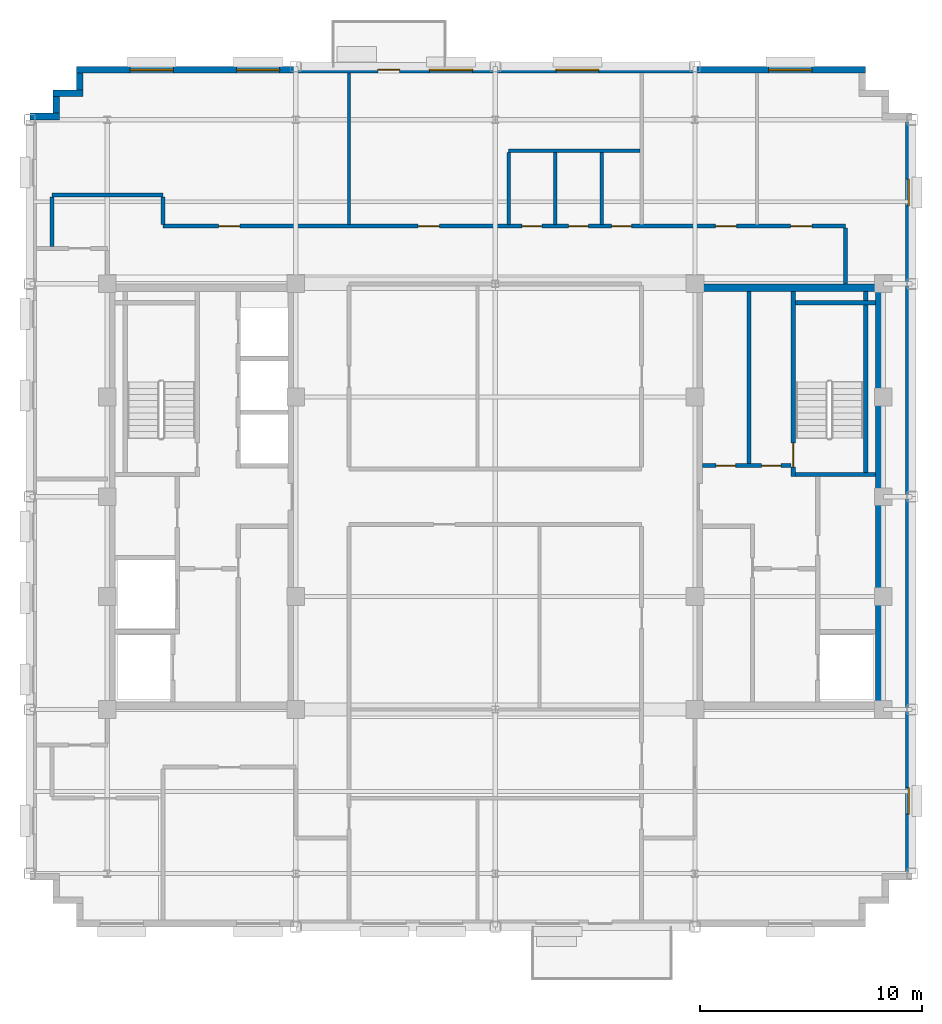
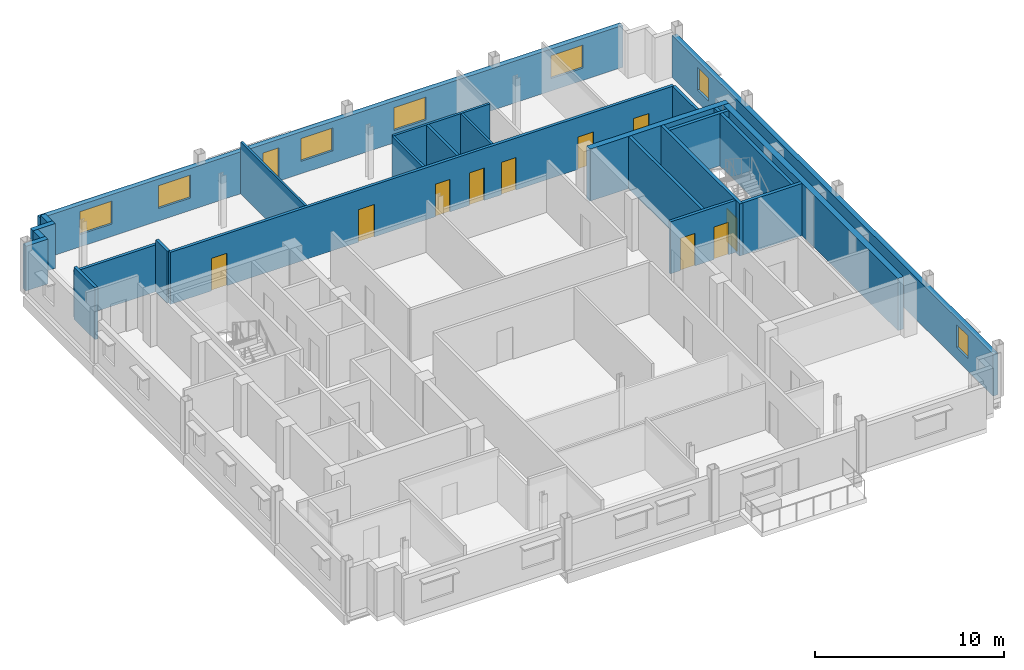
# One storey, part 8 of 13: 24 walls, 11 doors, 7 windows, 18 openings.
"""IFC4 building model written with IfcOpenShell, lengths in metres."""

from ifc_helpers import new_model, si_unit, direction, frame, frame_2d, origin, place, context, subcontext, project, spatial, rectangle, extrude, source, transform, mapped, material, layer, layer_set, type_object, type_shapes, element, fill, save


model = new_model("IFC4")

# Units and contexts
model_context = context("Model", 3, precision=1e-05, world=origin(), true_north=direction((0.0, 1.0)))
body_context = subcontext(model_context, "Body", "Model", "MODEL_VIEW")
ifc_project = project(units=[si_unit("LENGTHUNIT", "METRE"), si_unit("AREAUNIT", "SQUARE_METRE"), si_unit("VOLUMEUNIT", "CUBIC_METRE"), si_unit("PLANEANGLEUNIT", "RADIAN"), si_unit("MASSUNIT", "GRAM", prefix="KILO")], contexts=[model_context])

# Site, building, storey
site_placement = place(None, origin())
site = spatial("IfcSite", under=ifc_project, at=site_placement, CompositionType="ELEMENT")
building_placement = place(site_placement, origin())
building = spatial("IfcBuilding", under=site, at=building_placement, Name="Nuvemarco Arch Tower", CompositionType="ELEMENT")
storey_placement = place(building_placement, frame((0.0, 0.0, 276.199951171875)))
storey = spatial("IfcBuildingStorey", under=building, at=storey_placement, Name="L73", CompositionType="ELEMENT", Elevation=276.199951171875)

# Wall, openings, windows
ifc_material_1 = material(Name="Precast concrete C45/55", Category="concrete")
ifc_layer_1 = layer(ifc_material_1, 0.300048828125, Name="EW-HIGH-300")
ifc_layer_set_1 = layer_set([ifc_layer_1], Name="Precast concrete C45/55")
wall_type_1 = type_object("IfcWallType", Name="EW-HIGH-300", PredefinedType="STANDARD", material=ifc_layer_set_1)
wall_1_placement = place(storey_placement, frame((18.64990234375, -17.00390625, 0.0), z_axis=(0.0, 0.0, 1.0), x_axis=(0.0, 1.0, 0.0)))
wall_1 = element("IfcWall", 1, at=wall_1_placement, inside=storey, type_object=wall_type_1, Name="L73 exterior precast facade wall 6", PredefinedType="STANDARD", context=body_context, shape_type="SweptSolid", body=[
    extrude(rectangle(XDim=34.0078125, YDim=0.300048828125, at=frame_2d((17.00390625, 0.0))), origin(), (0.0, 0.0, 1.0), 2.705078125),
])
opening_1_placement = place(wall_1_placement, frame((2.686279296875, 0.0, 0.800048828125)))
opening_1 = element("IfcOpeningElement", 2, at=opening_1_placement, cuts=wall_1, Name="Opening WN-8", PredefinedType="OPENING", context=body_context, shape_type="SweptSolid", body=[
    extrude(rectangle(XDim=1.199951171875, YDim=1.47998046875, at=frame_2d((0.60009765625, 0.739990234375))), frame((0.0, 0.159912109375, 0.0), z_axis=(0.0, -1.0, 0.0), x_axis=(1.0, 0.0, 0.0)), (0.0, 0.0, 1.0), 0.320068359375),
])
opening_2_placement = place(wall_1_placement, frame((30.12158203125, 0.0, 0.800048828125)))
opening_2 = element("IfcOpeningElement", 3, at=opening_2_placement, cuts=wall_1, Name="Opening WN-8", PredefinedType="OPENING", context=body_context, shape_type="SweptSolid", body=[
    extrude(rectangle(XDim=1.199951171875, YDim=1.47998046875, at=frame_2d((0.60009765625, 0.739990234375))), frame((0.0, 0.159912109375, 0.0), z_axis=(0.0, -1.0, 0.0), x_axis=(1.0, 0.0, 0.0)), (0.0, 0.0, 1.0), 0.320068359375),
])
ifc_material_2 = material(Name="Insulated solar-control glass", Category="glass")
window_type_1 = type_object("IfcWindowType", Name="WN-HIGH-1200x1480", PartitioningType="SINGLE_PANEL", PredefinedType="WINDOW", material=ifc_material_2)
shared_shape_1 = source(origin(), body_context, "Body", "SweptSolid", [
    extrude(rectangle(XDim=1.199951171875, YDim=1.47998046875, at=frame_2d((0.60009765625, 0.739990234375))), frame((0.0, 0.030029296875, 0.0), z_axis=(0.0, -1.0, 0.0), x_axis=(1.0, 0.0, 0.0)), (0.0, 0.0, 1.0), 0.06005859375),
])
type_shapes(window_type_1, [shared_shape_1])
window_1_placement = place(opening_1_placement, origin())
window_1 = element("IfcWindow", 4, at=window_1_placement, inside=storey, type_object=window_type_1, Name="L73 punched facade window 1", OverallHeight=1.47998046875, OverallWidth=1.199951171875, PartitioningType="SINGLE_PANEL", PredefinedType="WINDOW", context=body_context, shape_type="MappedRepresentation", body=[
    mapped(shared_shape_1, transform((0.0, 0.0, 0.0), scale=1.0)),
])
fill(opening_1, window_1)
window_2_placement = place(opening_2_placement, origin())
window_2 = element("IfcWindow", 5, at=window_2_placement, inside=storey, type_object=window_type_1, Name="L73 punched facade window 7", OverallHeight=1.47998046875, OverallWidth=1.199951171875, PartitioningType="SINGLE_PANEL", PredefinedType="WINDOW", context=body_context, shape_type="MappedRepresentation", body=[
    mapped(shared_shape_1, transform((0.0, 0.0, 0.0), scale=1.0)),
])
fill(opening_2, window_2)

# Wall, openings, door, windows
wall_2_placement = place(storey_placement, frame((-18.89990234375, 19.25, 0.0), z_axis=(0.0, 0.0, 1.0), x_axis=(1.0, 0.0, 0.0)))
wall_2 = element("IfcWall", 6, at=wall_2_placement, inside=storey, type_object=wall_type_1, Name="L73 exterior precast facade wall 11", PredefinedType="STANDARD", context=body_context, shape_type="SweptSolid", body=[
    extrude(rectangle(XDim=35.599853515625, YDim=0.300048828125, at=frame_2d((17.7998046875, 0.0))), origin(), (0.0, 0.0, 1.0), 2.705078125),
])
opening_3_placement = place(wall_2_placement, frame((13.60009765625, 0.0, 0.0)))
opening_3 = element("IfcOpeningElement", 7, at=opening_3_placement, cuts=wall_2, Name="Opening ED-6", PredefinedType="OPENING", context=body_context, shape_type="SweptSolid", body=[
    extrude(rectangle(XDim=0.97998046875, YDim=2.14990234375, at=frame_2d((0.489990234375, 1.074951171875))), frame((0.0, 0.159912109375, 0.0), z_axis=(0.0, -1.0, 0.0), x_axis=(1.0, 0.0, 0.0)), (0.0, 0.0, 1.0), 0.320068359375),
])
opening_4_placement = place(wall_2_placement, frame((2.425048828125, 0.0, 0.800048828125)))
opening_4 = element("IfcOpeningElement", 8, at=opening_4_placement, cuts=wall_2, Name="Opening WN-7", PredefinedType="OPENING", context=body_context, shape_type="SweptSolid", body=[
    extrude(rectangle(XDim=1.949951171875, YDim=1.47998046875, at=frame_2d((0.97509765625, 0.739990234375))), frame((0.0, 0.159912109375, 0.0), z_axis=(0.0, -1.0, 0.0), x_axis=(1.0, 0.0, 0.0)), (0.0, 0.0, 1.0), 0.320068359375),
])
opening_5_placement = place(wall_2_placement, frame((7.22509765625, 0.0, 0.800048828125)))
opening_5 = element("IfcOpeningElement", 9, at=opening_5_placement, cuts=wall_2, Name="Opening WN-7", PredefinedType="OPENING", context=body_context, shape_type="SweptSolid", body=[
    extrude(rectangle(XDim=1.949951171875, YDim=1.47998046875, at=frame_2d((0.97509765625, 0.739990234375))), frame((0.0, 0.159912109375, 0.0), z_axis=(0.0, -1.0, 0.0), x_axis=(1.0, 0.0, 0.0)), (0.0, 0.0, 1.0), 0.320068359375),
])
opening_6_placement = place(wall_2_placement, frame((15.925048828125, 0.0, 0.800048828125)))
opening_6 = element("IfcOpeningElement", 10, at=opening_6_placement, cuts=wall_2, Name="Opening WN-7", PredefinedType="OPENING", context=body_context, shape_type="SweptSolid", body=[
    extrude(rectangle(XDim=1.949951171875, YDim=1.47998046875, at=frame_2d((0.97509765625, 0.739990234375))), frame((0.0, 0.159912109375, 0.0), z_axis=(0.0, -1.0, 0.0), x_axis=(1.0, 0.0, 0.0)), (0.0, 0.0, 1.0), 0.320068359375),
])
opening_7_placement = place(wall_2_placement, frame((21.625, 0.0, 0.800048828125)))
opening_7 = element("IfcOpeningElement", 11, at=opening_7_placement, cuts=wall_2, Name="Opening WN-7", PredefinedType="OPENING", context=body_context, shape_type="SweptSolid", body=[
    extrude(rectangle(XDim=1.949951171875, YDim=1.47998046875, at=frame_2d((0.97509765625, 0.739990234375))), frame((0.0, 0.159912109375, 0.0), z_axis=(0.0, -1.0, 0.0), x_axis=(1.0, 0.0, 0.0)), (0.0, 0.0, 1.0), 0.320068359375),
])
opening_8_placement = place(wall_2_placement, frame((31.22509765625, 0.0, 0.800048828125)))
opening_8 = element("IfcOpeningElement", 12, at=opening_8_placement, cuts=wall_2, Name="Opening WN-7", PredefinedType="OPENING", context=body_context, shape_type="SweptSolid", body=[
    extrude(rectangle(XDim=1.949951171875, YDim=1.47998046875, at=frame_2d((0.97509765625, 0.739990234375))), frame((0.0, 0.159912109375, 0.0), z_axis=(0.0, -1.0, 0.0), x_axis=(1.0, 0.0, 0.0)), (0.0, 0.0, 1.0), 0.320068359375),
])
ifc_material_3 = material(Name="Anodised bronze and laminated glass", Category="glass")
door_type_1 = type_object("IfcDoorType", Name="DR-EXT-BALC", OperationType="NOTDEFINED", PredefinedType="DOOR", material=ifc_material_3)
shared_shape_2 = source(origin(), body_context, "Body", "SweptSolid", [
    extrude(rectangle(XDim=0.97998046875, YDim=2.14990234375, at=frame_2d((0.489990234375, 1.074951171875))), frame((0.0, 0.02490234375, 0.0), z_axis=(0.0, -1.0, 0.0), x_axis=(1.0, 0.0, 0.0)), (0.0, 0.0, 1.0), 0.050048828125),
])
type_shapes(door_type_1, [shared_shape_2])
door_1_placement = place(opening_3_placement, origin())
door_1 = element("IfcDoor", 13, at=door_1_placement, inside=storey, type_object=door_type_1, Name="L73 tree balcony access door", OperationType="SINGLE_SWING_LEFT", OverallHeight=2.14990234375, OverallWidth=0.97998046875, PredefinedType="DOOR", context=body_context, shape_type="MappedRepresentation", body=[
    mapped(shared_shape_2, transform((0.0, 0.0, 0.0), scale=1.0)),
])
fill(opening_3, door_1)
window_type_2 = type_object("IfcWindowType", Name="WN-HIGH-1950x1480", PartitioningType="DOUBLE_PANEL_VERTICAL", PredefinedType="WINDOW", material=ifc_material_2)
shared_shape_3 = source(origin(), body_context, "Body", "SweptSolid", [
    extrude(rectangle(XDim=1.949951171875, YDim=1.47998046875, at=frame_2d((0.97509765625, 0.739990234375))), frame((0.0, 0.030029296875, 0.0), z_axis=(0.0, -1.0, 0.0), x_axis=(1.0, 0.0, 0.0)), (0.0, 0.0, 1.0), 0.06005859375),
])
type_shapes(window_type_2, [shared_shape_3])
window_3_placement = place(opening_4_placement, origin())
window_3 = element("IfcWindow", 14, at=window_3_placement, inside=storey, type_object=window_type_2, Name="L73 punched facade window 1", OverallHeight=1.47998046875, OverallWidth=1.949951171875, PartitioningType="SINGLE_PANEL", PredefinedType="WINDOW", context=body_context, shape_type="MappedRepresentation", body=[
    mapped(shared_shape_3, transform((0.0, 0.0, 0.0), scale=1.0)),
])
fill(opening_4, window_3)
window_4_placement = place(opening_5_placement, origin())
window_4 = element("IfcWindow", 15, at=window_4_placement, inside=storey, type_object=window_type_2, Name="L73 punched facade window 2", OverallHeight=1.47998046875, OverallWidth=1.949951171875, PartitioningType="SINGLE_PANEL", PredefinedType="WINDOW", context=body_context, shape_type="MappedRepresentation", body=[
    mapped(shared_shape_3, transform((0.0, 0.0, 0.0), scale=1.0)),
])
fill(opening_5, window_4)
window_5_placement = place(opening_6_placement, origin())
window_5 = element("IfcWindow", 16, at=window_5_placement, inside=storey, type_object=window_type_2, Name="L73 punched facade window 4", OverallHeight=1.47998046875, OverallWidth=1.949951171875, PartitioningType="SINGLE_PANEL", PredefinedType="WINDOW", context=body_context, shape_type="MappedRepresentation", body=[
    mapped(shared_shape_3, transform((0.0, 0.0, 0.0), scale=1.0)),
])
fill(opening_6, window_5)
window_6_placement = place(opening_7_placement, origin())
window_6 = element("IfcWindow", 17, at=window_6_placement, inside=storey, type_object=window_type_2, Name="L73 punched facade window 5", OverallHeight=1.47998046875, OverallWidth=1.949951171875, PartitioningType="SINGLE_PANEL", PredefinedType="WINDOW", context=body_context, shape_type="MappedRepresentation", body=[
    mapped(shared_shape_3, transform((0.0, 0.0, 0.0), scale=1.0)),
])
fill(opening_7, window_6)
window_7_placement = place(opening_8_placement, origin())
window_7 = element("IfcWindow", 18, at=window_7_placement, inside=storey, type_object=window_type_2, Name="L73 punched facade window 7", OverallHeight=1.47998046875, OverallWidth=1.949951171875, PartitioningType="SINGLE_PANEL", PredefinedType="WINDOW", context=body_context, shape_type="MappedRepresentation", body=[
    mapped(shared_shape_3, transform((0.0, 0.0, 0.0), scale=1.0)),
])
fill(opening_8, window_7)

# Walls
wall_3_placement = place(storey_placement, frame((-18.75, 18.345947265625, 0.0), z_axis=(0.0, 0.0, 1.0), x_axis=(0.0, 1.0, 0.0)))
element("IfcWall", 19, at=wall_3_placement, inside=storey, type_object=wall_type_1, Name="L73 exterior precast facade wall 12", PredefinedType="STANDARD", context=body_context, shape_type="SweptSolid", body=[
    extrude(rectangle(XDim=0.758056640625, YDim=0.300048828125, at=frame_2d((0.37890625, 0.0))), origin(), (0.0, 0.0, 1.0), 2.89208984375),
])
wall_4_placement = place(storey_placement, frame((-19.949951171875, 18.199951171875, 0.0), z_axis=(0.0, 0.0, 1.0), x_axis=(1.0, 0.0, 0.0)))
element("IfcWall", 20, at=wall_4_placement, inside=storey, type_object=wall_type_1, Name="L73 exterior precast facade wall 13", PredefinedType="STANDARD", context=body_context, shape_type="SweptSolid", body=[
    extrude(rectangle(XDim=1.349853515625, YDim=0.300048828125, at=frame_2d((0.6748046875, 0.0))), origin(), (0.0, 0.0, 1.0), 2.89208984375),
])
wall_5_placement = place(storey_placement, frame((-19.800048828125, 17.2958984375, 0.0), z_axis=(0.0, 0.0, 1.0), x_axis=(0.0, 1.0, 0.0)))
element("IfcWall", 21, at=wall_5_placement, inside=storey, type_object=wall_type_1, Name="L73 exterior precast facade wall 14", PredefinedType="STANDARD", context=body_context, shape_type="SweptSolid", body=[
    extrude(rectangle(XDim=0.758056640625, YDim=0.300048828125, at=frame_2d((0.37890625, 0.0))), origin(), (0.0, 0.0, 1.0), 2.89208984375),
])
wall_6_placement = place(storey_placement, frame((-21.0, 17.14990234375, 0.0), z_axis=(0.0, 0.0, 1.0), x_axis=(1.0, 0.0, 0.0)))
element("IfcWall", 22, at=wall_6_placement, inside=storey, type_object=wall_type_1, Name="L73 exterior precast facade wall 15", PredefinedType="STANDARD", context=body_context, shape_type="SweptSolid", body=[
    extrude(rectangle(XDim=1.35009765625, YDim=0.300048828125, at=frame_2d((0.675048828125, 0.0))), origin(), (0.0, 0.0, 1.0), 2.89208984375),
])
ifc_material_4 = material(Name="Concrete C50/60", Category="concrete")
ifc_layer_2 = layer(ifc_material_4, 0.35009765625, Name="WL-CORE-350")
ifc_layer_set_2 = layer_set([ifc_layer_2], Name="Concrete C50/60")
wall_type_2 = type_object("IfcWallType", Name="WL-CORE-350", PredefinedType="SHEAR", material=ifc_layer_set_2)
wall_7_placement = place(storey_placement, frame((9.0, 9.425048828125, 0.0), z_axis=(0.0, 0.0, 1.0), x_axis=(1.0, 0.0, 0.0)))
element("IfcWall", 23, at=wall_7_placement, inside=storey, type_object=wall_type_2, Name="L73 E-core shear wall N", PredefinedType="SHEAR", context=body_context, shape_type="SweptSolid", body=[
    extrude(rectangle(XDim=8.5, YDim=0.35009765625, at=frame_2d((4.25, 0.0))), origin(), (0.0, 0.0, 1.0), 3.3701171875),
])
wall_8_placement = place(storey_placement, frame((17.324951171875, -9.2548828125, 0.0), z_axis=(0.0, 0.0, 1.0), x_axis=(0.0, 1.0, 0.0)))
element("IfcWall", 24, at=wall_8_placement, inside=storey, type_object=wall_type_2, Name="L73 E-core shear wall E", PredefinedType="SHEAR", context=body_context, shape_type="SweptSolid", body=[
    extrude(rectangle(XDim=18.509765625, YDim=0.35009765625, at=frame_2d((9.2548828125, 0.0))), origin(), (0.0, 0.0, 1.0), 3.3701171875),
])

# Wall, openings, doors
ifc_material_5 = material(Name="Fire-rated gypsum drywall partition")
ifc_layer_3 = layer(ifc_material_5, 0.179931640625, Name="WL-CORR-180")
ifc_layer_set_3 = layer_set([ifc_layer_3], Name="Fire-rated gypsum drywall partition")
wall_type_3 = type_object("IfcWallType", Name="WL-CORR-180", PredefinedType="PARTITIONING", material=ifc_layer_set_3)
wall_9_placement = place(storey_placement, frame((9.344970703125, 1.39990234375, 0.0), z_axis=(0.0, 0.0, 1.0), x_axis=(1.0, 0.0, 0.0)))
wall_9 = element("IfcWall", 25, at=wall_9_placement, inside=storey, type_object=wall_type_3, Name="L73 interior wall IW-L73-EK-S", PredefinedType="PARTITIONING", context=body_context, shape_type="SweptSolid", body=[
    extrude(rectangle(XDim=4.0, YDim=0.179931640625, at=frame_2d((2.0, 0.0))), origin(), (0.0, 0.0, 1.0), 3.360107421875),
])
opening_9_placement = place(wall_9_placement, frame((0.614990234375, 0.0, 0.0)))
opening_9 = element("IfcOpeningElement", 26, at=opening_9_placement, cuts=wall_9, Name="Opening FD-4", PredefinedType="OPENING", context=body_context, shape_type="SweptSolid", body=[
    extrude(rectangle(XDim=0.8798828125, YDim=2.10009765625, at=frame_2d((0.43994140625, 1.050048828125))), frame((0.0, 0.099853515625, 0.0), z_axis=(0.0, -1.0, 0.0), x_axis=(1.0, 0.0, 0.0)), (0.0, 0.0, 1.0), 0.199951171875),
])
opening_10_placement = place(wall_9_placement, frame((2.6650390625, 0.0, 0.0)))
opening_10 = element("IfcOpeningElement", 27, at=opening_10_placement, cuts=wall_9, Name="Opening FD-4", PredefinedType="OPENING", context=body_context, shape_type="SweptSolid", body=[
    extrude(rectangle(XDim=0.8798828125, YDim=2.10009765625, at=frame_2d((0.43994140625, 1.050048828125))), frame((0.0, 0.099853515625, 0.0), z_axis=(0.0, -1.0, 0.0), x_axis=(1.0, 0.0, 0.0)), (0.0, 0.0, 1.0), 0.199951171875),
])
ifc_material_6 = material(Name="Anodised steel fire door", Category="steel")
door_type_2 = type_object("IfcDoorType", Name="DR-RISER-FD", OperationType="NOTDEFINED", PredefinedType="DOOR", material=ifc_material_6)
shared_shape_4 = source(origin(), body_context, "Body", "SweptSolid", [
    extrude(rectangle(XDim=0.8798828125, YDim=2.10009765625, at=frame_2d((0.43994140625, 1.050048828125))), frame((0.0, 0.02490234375, 0.0), z_axis=(0.0, -1.0, 0.0), x_axis=(1.0, 0.0, 0.0)), (0.0, 0.0, 1.0), 0.050048828125),
])
type_shapes(door_type_2, [shared_shape_4])
door_2_placement = place(opening_9_placement, origin())
door_2 = element("IfcDoor", 28, at=door_2_placement, inside=storey, type_object=door_type_2, Name="L73 door FD-L73-EK2A", OperationType="SINGLE_SWING_RIGHT", OverallHeight=2.10009765625, OverallWidth=0.8798828125, PredefinedType="DOOR", context=body_context, shape_type="MappedRepresentation", body=[
    mapped(shared_shape_4, transform((0.0, 0.0, 0.0), scale=1.0)),
])
fill(opening_9, door_2)
door_3_placement = place(opening_10_placement, origin())
door_3 = element("IfcDoor", 29, at=door_3_placement, inside=storey, type_object=door_type_2, Name="L73 door FD-L73-EK2B", OperationType="SINGLE_SWING_LEFT", OverallHeight=2.10009765625, OverallWidth=0.8798828125, PredefinedType="DOOR", context=body_context, shape_type="MappedRepresentation", body=[
    mapped(shared_shape_4, transform((0.0, 0.0, 0.0), scale=1.0)),
])
fill(opening_10, door_3)

# Wall
wall_10_placement = place(storey_placement, frame((11.449951171875, 1.489990234375, 0.0), z_axis=(0.0, 0.0, 1.0), x_axis=(0.0, 1.0, 0.0)))
element("IfcWall", 30, at=wall_10_placement, inside=storey, type_object=wall_type_3, Name="L73 interior wall IW-L73-EK2", PredefinedType="PARTITIONING", context=body_context, shape_type="SweptSolid", body=[
    extrude(rectangle(XDim=7.764892578125, YDim=0.179931640625, at=frame_2d((3.88232421875, 0.0))), origin(), (0.0, 0.0, 1.0), 3.360107421875),
])

# Wall, openings, doors
wall_11_placement = place(storey_placement, frame((-15.0, 12.199951171875, 0.0), z_axis=(0.0, 0.0, 1.0), x_axis=(1.0, 0.0, 0.0)))
wall_11 = element("IfcWall", 31, at=wall_11_placement, inside=storey, type_object=wall_type_3, Name="L73 interior wall IW-L73-015", PredefinedType="PARTITIONING", context=body_context, shape_type="SweptSolid", body=[
    extrude(rectangle(XDim=30.800048828125, YDim=0.179931640625, at=frame_2d((15.39990234375, 0.0))), origin(), (0.0, 0.0, 1.0), 3.360107421875),
])
opening_11_placement = place(wall_11_placement, frame((11.52001953125, 0.0, 0.0)))
opening_11 = element("IfcOpeningElement", 32, at=opening_11_placement, cuts=wall_11, Name="Opening FD-5", PredefinedType="OPENING", context=body_context, shape_type="SweptSolid", body=[
    extrude(rectangle(XDim=0.9599609375, YDim=2.10009765625, at=frame_2d((0.47998046875, 1.050048828125))), frame((0.0, 0.099853515625, 0.0), z_axis=(0.0, -1.0, 0.0), x_axis=(1.0, 0.0, 0.0)), (0.0, 0.0, 1.0), 0.199951171875),
])
opening_12_placement = place(wall_11_placement, frame((2.52001953125, 0.0, 0.0)))
opening_12 = element("IfcOpeningElement", 33, at=opening_12_placement, cuts=wall_11, Name="Opening FD-5", PredefinedType="OPENING", context=body_context, shape_type="SweptSolid", body=[
    extrude(rectangle(XDim=0.9599609375, YDim=2.10009765625, at=frame_2d((0.47998046875, 1.050048828125))), frame((0.0, 0.099853515625, 0.0), z_axis=(0.0, -1.0, 0.0), x_axis=(1.0, 0.0, 0.0)), (0.0, 0.0, 1.0), 0.199951171875),
])
opening_13_placement = place(wall_11_placement, frame((28.320068359375, 0.0, 0.0)))
opening_13 = element("IfcOpeningElement", 34, at=opening_13_placement, cuts=wall_11, Name="Opening FD-5", PredefinedType="OPENING", context=body_context, shape_type="SweptSolid", body=[
    extrude(rectangle(XDim=0.9599609375, YDim=2.10009765625, at=frame_2d((0.47998046875, 1.050048828125))), frame((0.0, 0.099853515625, 0.0), z_axis=(0.0, -1.0, 0.0), x_axis=(1.0, 0.0, 0.0)), (0.0, 0.0, 1.0), 0.199951171875),
])
opening_14_placement = place(wall_11_placement, frame((24.919921875, 0.0, 0.0)))
opening_14 = element("IfcOpeningElement", 35, at=opening_14_placement, cuts=wall_11, Name="Opening FD-5", PredefinedType="OPENING", context=body_context, shape_type="SweptSolid", body=[
    extrude(rectangle(XDim=0.9599609375, YDim=2.10009765625, at=frame_2d((0.47998046875, 1.050048828125))), frame((0.0, 0.099853515625, 0.0), z_axis=(0.0, -1.0, 0.0), x_axis=(1.0, 0.0, 0.0)), (0.0, 0.0, 1.0), 0.199951171875),
])
opening_15_placement = place(wall_11_placement, frame((16.199951171875, 0.0, 0.0)))
opening_15 = element("IfcOpeningElement", 36, at=opening_15_placement, cuts=wall_11, Name="Opening ID-3", PredefinedType="OPENING", context=body_context, shape_type="SweptSolid", body=[
    extrude(rectangle(XDim=0.89990234375, YDim=2.10009765625, at=frame_2d((0.449951171875, 1.050048828125))), frame((0.0, 0.099853515625, 0.0), z_axis=(0.0, -1.0, 0.0), x_axis=(1.0, 0.0, 0.0)), (0.0, 0.0, 1.0), 0.199951171875),
])
opening_16_placement = place(wall_11_placement, frame((18.300048828125, 0.0, 0.0)))
opening_16 = element("IfcOpeningElement", 37, at=opening_16_placement, cuts=wall_11, Name="Opening ID-3", PredefinedType="OPENING", context=body_context, shape_type="SweptSolid", body=[
    extrude(rectangle(XDim=0.89990234375, YDim=2.10009765625, at=frame_2d((0.449951171875, 1.050048828125))), frame((0.0, 0.099853515625, 0.0), z_axis=(0.0, -1.0, 0.0), x_axis=(1.0, 0.0, 0.0)), (0.0, 0.0, 1.0), 0.199951171875),
])
opening_17_placement = place(wall_11_placement, frame((20.25, 0.0, 0.0)))
opening_17 = element("IfcOpeningElement", 38, at=opening_17_placement, cuts=wall_11, Name="Opening ID-3", PredefinedType="OPENING", context=body_context, shape_type="SweptSolid", body=[
    extrude(rectangle(XDim=0.89990234375, YDim=2.10009765625, at=frame_2d((0.449951171875, 1.050048828125))), frame((0.0, 0.099853515625, 0.0), z_axis=(0.0, -1.0, 0.0), x_axis=(1.0, 0.0, 0.0)), (0.0, 0.0, 1.0), 0.199951171875),
])
ifc_material_7 = material(Name="Timber fire door", Category="wood")
door_type_3 = type_object("IfcDoorType", Name="DR-CORR-FD", OperationType="NOTDEFINED", PredefinedType="DOOR", material=ifc_material_7)
shared_shape_5 = source(origin(), body_context, "Body", "SweptSolid", [
    extrude(rectangle(XDim=0.9599609375, YDim=2.10009765625, at=frame_2d((0.47998046875, 1.050048828125))), frame((0.0, 0.02490234375, 0.0), z_axis=(0.0, -1.0, 0.0), x_axis=(1.0, 0.0, 0.0)), (0.0, 0.0, 1.0), 0.050048828125),
])
type_shapes(door_type_3, [shared_shape_5])
door_4_placement = place(opening_11_placement, origin())
door_4 = element("IfcDoor", 39, at=door_4_placement, inside=storey, type_object=door_type_3, Name="L73 door DR-L73-N_2", OperationType="SINGLE_SWING_RIGHT", OverallHeight=2.10009765625, OverallWidth=0.9599609375, PredefinedType="DOOR", context=body_context, shape_type="MappedRepresentation", body=[
    mapped(shared_shape_5, transform((0.0, 0.0, 0.0), scale=1.0)),
])
fill(opening_11, door_4)
door_5_placement = place(opening_12_placement, origin())
door_5 = element("IfcDoor", 40, at=door_5_placement, inside=storey, type_object=door_type_3, Name="L73 door DR-L73-N_1", OperationType="SINGLE_SWING_LEFT", OverallHeight=2.10009765625, OverallWidth=0.9599609375, PredefinedType="DOOR", context=body_context, shape_type="MappedRepresentation", body=[
    mapped(shared_shape_5, transform((0.0, 0.0, 0.0), scale=1.0)),
])
fill(opening_12, door_5)
door_6_placement = place(opening_13_placement, origin())
door_6 = element("IfcDoor", 41, at=door_6_placement, inside=storey, type_object=door_type_3, Name="L73 door DR-L73-N_4", OperationType="SINGLE_SWING_LEFT", OverallHeight=2.10009765625, OverallWidth=0.9599609375, PredefinedType="DOOR", context=body_context, shape_type="MappedRepresentation", body=[
    mapped(shared_shape_5, transform((0.0, 0.0, 0.0), scale=1.0)),
])
fill(opening_13, door_6)
door_7_placement = place(opening_14_placement, origin())
door_7 = element("IfcDoor", 42, at=door_7_placement, inside=storey, type_object=door_type_3, Name="L73 door DR-L73-N_3", OperationType="SINGLE_SWING_LEFT", OverallHeight=2.10009765625, OverallWidth=0.9599609375, PredefinedType="DOOR", context=body_context, shape_type="MappedRepresentation", body=[
    mapped(shared_shape_5, transform((0.0, 0.0, 0.0), scale=1.0)),
])
fill(opening_14, door_7)
ifc_material_8 = material(Name="Veneered oak timber fire door", Category="wood")
door_type_4 = type_object("IfcDoorType", Name="DR-WC-ACC", OperationType="NOTDEFINED", PredefinedType="DOOR", material=ifc_material_8)
shared_shape_6 = source(origin(), body_context, "Body", "SweptSolid", [
    extrude(rectangle(XDim=0.89990234375, YDim=2.10009765625, at=frame_2d((0.449951171875, 1.050048828125))), frame((0.0, 0.02490234375, 0.0), z_axis=(0.0, -1.0, 0.0), x_axis=(1.0, 0.0, 0.0)), (0.0, 0.0, 1.0), 0.050048828125),
])
type_shapes(door_type_4, [shared_shape_6])
door_8_placement = place(opening_15_placement, origin())
door_8 = element("IfcDoor", 43, at=door_8_placement, inside=storey, type_object=door_type_4, Name="L73 door DR-L73-WC_M", OperationType="SINGLE_SWING_RIGHT", OverallHeight=2.10009765625, OverallWidth=0.89990234375, PredefinedType="DOOR", context=body_context, shape_type="MappedRepresentation", body=[
    mapped(shared_shape_6, transform((0.0, 0.0, 0.0), scale=1.0)),
])
fill(opening_15, door_8)
door_9_placement = place(opening_16_placement, origin())
door_9 = element("IfcDoor", 44, at=door_9_placement, inside=storey, type_object=door_type_4, Name="L73 door DR-L73-WC_F", OperationType="SINGLE_SWING_LEFT", OverallHeight=2.10009765625, OverallWidth=0.89990234375, PredefinedType="DOOR", context=body_context, shape_type="MappedRepresentation", body=[
    mapped(shared_shape_6, transform((0.0, 0.0, 0.0), scale=1.0)),
])
fill(opening_16, door_9)
door_10_placement = place(opening_17_placement, origin())
door_10 = element("IfcDoor", 45, at=door_10_placement, inside=storey, type_object=door_type_4, Name="L73 door DR-L73-WC_ACC", OperationType="SINGLE_SWING_RIGHT", OverallHeight=2.10009765625, OverallWidth=0.89990234375, PredefinedType="DOOR", context=body_context, shape_type="MappedRepresentation", body=[
    mapped(shared_shape_6, transform((0.0, 0.0, 0.0), scale=1.0)),
])
fill(opening_17, door_10)

# Walls
wall_12_placement = place(storey_placement, frame((-20.0, 13.60009765625, 0.0), z_axis=(0.0, 0.0, 1.0), x_axis=(1.0, 0.0, 0.0)))
element("IfcWall", 46, at=wall_12_placement, inside=storey, type_object=wall_type_3, Name="L73 interior wall IW-L73-016", PredefinedType="PARTITIONING", context=body_context, shape_type="SweptSolid", body=[
    extrude(rectangle(XDim=5.0, YDim=0.179931640625, at=frame_2d((2.5, 0.0))), origin(), (0.0, 0.0, 1.0), 3.0380859375),
])
wall_13_placement = place(storey_placement, frame((-20.0, 11.285888671875, 0.0), z_axis=(0.0, 0.0, 1.0), x_axis=(0.0, 1.0, 0.0)))
element("IfcWall", 47, at=wall_13_placement, inside=storey, type_object=wall_type_3, Name="L73 interior wall IW-L73-019", PredefinedType="PARTITIONING", context=body_context, shape_type="SweptSolid", body=[
    extrude(rectangle(XDim=2.22802734375, YDim=0.179931640625, at=frame_2d((1.114013671875, 0.0))), origin(), (0.0, 0.0, 1.0), 3.360107421875),
])
wall_14_placement = place(storey_placement, frame((-15.0, 12.285888671875, 0.0), z_axis=(0.0, 0.0, 1.0), x_axis=(0.0, 1.0, 0.0)))
element("IfcWall", 48, at=wall_14_placement, inside=storey, type_object=wall_type_3, Name="L73 interior wall IW-L73-023", PredefinedType="PARTITIONING", context=body_context, shape_type="SweptSolid", body=[
    extrude(rectangle(XDim=1.22802734375, YDim=0.179931640625, at=frame_2d((0.614013671875, 0.0))), origin(), (0.0, 0.0, 1.0), 3.360107421875),
])
wall_15_placement = place(storey_placement, frame((15.800048828125, 9.60009765625, 0.0), z_axis=(0.0, 0.0, 1.0), x_axis=(0.0, 1.0, 0.0)))
element("IfcWall", 49, at=wall_15_placement, inside=storey, type_object=wall_type_3, Name="L73 interior wall IW-L73-039", PredefinedType="PARTITIONING", context=body_context, shape_type="SweptSolid", body=[
    extrude(rectangle(XDim=2.513916015625, YDim=0.179931640625, at=frame_2d((1.2568359375, 0.0))), origin(), (0.0, 0.0, 1.0), 3.360107421875),
])
ifc_material_9 = material(Name="Glazed acoustic office partition")
ifc_layer_4 = layer(ifc_material_9, 0.1298828125, Name="WL-EXEC-130")
ifc_layer_set_4 = layer_set([ifc_layer_4], Name="Glazed acoustic office partition")
wall_type_4 = type_object("IfcWallType", Name="WL-EXEC-130", PredefinedType="PARTITIONING", material=ifc_layer_set_4)
wall_16_placement = place(storey_placement, frame((-6.60009765625, 12.285888671875, 0.0), z_axis=(0.0, 0.0, 1.0), x_axis=(0.0, 1.0, 0.0)))
element("IfcWall", 50, at=wall_16_placement, inside=storey, type_object=wall_type_4, Name="L73 interior wall IW-L73-027", PredefinedType="PARTITIONING", context=body_context, shape_type="SweptSolid", body=[
    extrude(rectangle(XDim=6.814208984375, YDim=0.1298828125, at=frame_2d((3.4072265625, 0.0))), origin(), (0.0, 0.0, 1.0), 3.360107421875),
])

# Wall, opening, door
ifc_layer_5 = layer(ifc_material_4, 0.199951171875, Name="WL-SHAFT-220")
ifc_layer_set_5 = layer_set([ifc_layer_5], Name="Concrete C50/60")
wall_type_5 = type_object("IfcWallType", Name="WL-SHAFT-220", PredefinedType="SHEAR", material=ifc_layer_set_5)
wall_17_placement = place(storey_placement, frame((13.43994140625, 0.89990234375, 0.0), z_axis=(0.0, 0.0, 1.0), x_axis=(0.0, 1.0, 0.0)))
wall_17 = element("IfcWall", 51, at=wall_17_placement, inside=storey, type_object=wall_type_5, Name="L73 structural shaft wall SW-L73-E-ST2W", PredefinedType="SHEAR", context=body_context, shape_type="SweptSolid", body=[
    extrude(rectangle(XDim=8.35498046875, YDim=0.199951171875, at=frame_2d((4.177490234375, 0.0))), origin(), (0.0, 0.0, 1.0), 3.3701171875),
])
opening_18_placement = place(wall_17_placement, frame((0.429931640625, 0.0, 0.0)))
opening_18 = element("IfcOpeningElement", 52, at=opening_18_placement, cuts=wall_17, Name="Opening FD-1", PredefinedType="OPENING", context=body_context, shape_type="SweptSolid", body=[
    extrude(rectangle(XDim=1.10009765625, YDim=2.14990234375, at=frame_2d((0.550048828125, 1.074951171875))), frame((0.0, 0.10986328125, 0.0), z_axis=(0.0, -1.0, 0.0), x_axis=(1.0, 0.0, 0.0)), (0.0, 0.0, 1.0), 0.219970703125),
])
door_type_5 = type_object("IfcDoorType", Name="DR-STAIR-FD", OperationType="NOTDEFINED", PredefinedType="DOOR", material=ifc_material_6)
shared_shape_7 = source(origin(), body_context, "Body", "SweptSolid", [
    extrude(rectangle(XDim=1.10009765625, YDim=2.14990234375, at=frame_2d((0.550048828125, 1.074951171875))), frame((0.0, 0.02490234375, 0.0), z_axis=(0.0, -1.0, 0.0), x_axis=(1.0, 0.0, 0.0)), (0.0, 0.0, 1.0), 0.050048828125),
])
type_shapes(door_type_5, [shared_shape_7])
door_11_placement = place(opening_18_placement, origin())
door_11 = element("IfcDoor", 53, at=door_11_placement, inside=storey, type_object=door_type_5, Name="L73 door FD-L73-ST2", OperationType="SINGLE_SWING_LEFT", OverallHeight=2.14990234375, OverallWidth=1.10009765625, PredefinedType="DOOR", context=body_context, shape_type="MappedRepresentation", body=[
    mapped(shared_shape_7, transform((0.0, 0.0, 0.0), scale=1.0)),
])
fill(opening_18, door_11)

# Walls
for number, where, z_axis, x_axis, name in (
    (54, (13.534912109375, 1.0, 0.0), (0.0, 0.0, 1.0), (1.0, 0.0, 0.0), "L73 structural shaft wall SW-L73-E-ST2S"),
    (55, (13.534912109375, 8.75, 0.0), (0.0, 0.0, 1.0), (1.0, 0.0, 0.0), "L73 structural shaft wall SW-L73-E-ST2N"),
):
    element("IfcWall", number, at=place(storey_placement, frame(where, z_axis=z_axis, x_axis=x_axis)), inside=storey, type_object=wall_type_5, Name=name, PredefinedType="SHEAR", context=body_context, shape_type="SweptSolid", body=[
        extrude(rectangle(XDim=3.6201171875, YDim=0.199951171875, at=frame_2d((1.81005859375, 0.0))), origin(), (0.0, 0.0, 1.0), 3.3701171875),
    ])
wall_18_placement = place(storey_placement, frame((16.699951171875, 1.094970703125, 0.0), z_axis=(0.0, 0.0, 1.0), x_axis=(0.0, 1.0, 0.0)))
element("IfcWall", 56, at=wall_18_placement, inside=storey, type_object=wall_type_5, Name="L73 structural shaft wall SW-L73-E-ST2E", PredefinedType="SHEAR", context=body_context, shape_type="SweptSolid", body=[
    extrude(rectangle(XDim=8.159912109375, YDim=0.199951171875, at=frame_2d((4.080078125, 0.0))), origin(), (0.0, 0.0, 1.0), 3.3701171875),
])
ifc_material_10 = material(Name="Moisture-resistant gypsum partition")
ifc_layer_6 = layer(ifc_material_10, 0.14990234375, Name="WL-WET-150")
ifc_layer_set_6 = layer_set([ifc_layer_6], Name="Moisture-resistant gypsum partition")
wall_type_6 = type_object("IfcWallType", Name="WL-WET-150", PredefinedType="PARTITIONING", material=ifc_layer_set_6)
wall_19_placement = place(storey_placement, frame((0.60009765625, 15.60009765625, 0.0), z_axis=(0.0, 0.0, 1.0), x_axis=(1.0, 0.0, 0.0)))
element("IfcWall", 57, at=wall_19_placement, inside=storey, type_object=wall_type_6, Name="L73 interior wall IW-L73-017", PredefinedType="PARTITIONING", context=body_context, shape_type="SweptSolid", body=[
    extrude(rectangle(XDim=5.928955078125, YDim=0.14990234375, at=frame_2d((2.96435546875, 0.0))), origin(), (0.0, 0.0, 1.0), 3.360107421875),
])
for number, where, z_axis, x_axis, name in (
    (58, (0.60009765625, 12.285888671875, 0.0), (0.0, 0.0, 1.0), (0.0, 1.0, 0.0), "L73 interior wall IW-L73-030"),
    (59, (2.699951171875, 12.285888671875, 0.0), (0.0, 0.0, 1.0), (0.0, 1.0, 0.0), "L73 interior wall IW-L73-032"),
    (60, (4.800048828125, 12.285888671875, 0.0), (0.0, 0.0, 1.0), (0.0, 1.0, 0.0), "L73 interior wall IW-L73-033"),
):
    element("IfcWall", number, at=place(storey_placement, frame(where, z_axis=z_axis, x_axis=x_axis)), inside=storey, type_object=wall_type_6, Name=name, PredefinedType="PARTITIONING", context=body_context, shape_type="SweptSolid", body=[
        extrude(rectangle(XDim=3.2431640625, YDim=0.14990234375, at=frame_2d((1.62158203125, 0.0))), origin(), (0.0, 0.0, 1.0), 3.360107421875),
    ])

save(model, "model.ifc")
